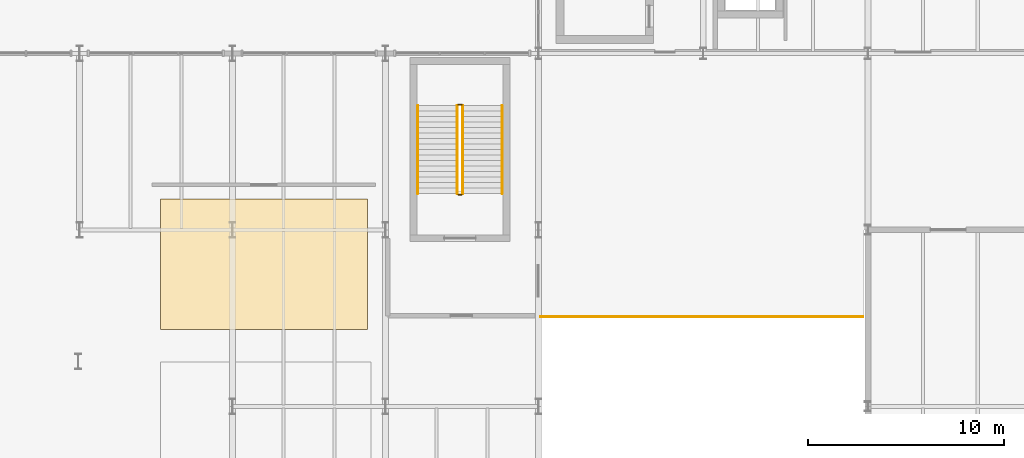
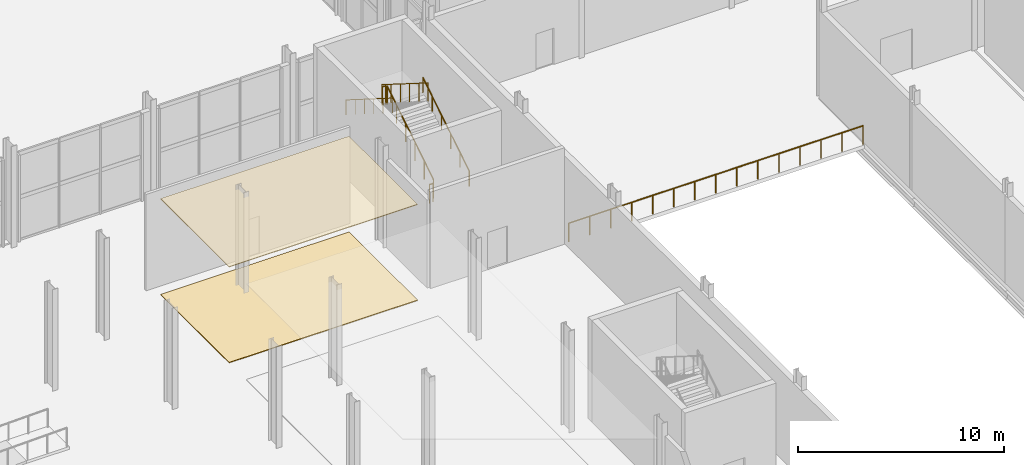
# One storey, part 71 of 84: 7 railings, 2 coverings.
"""IFC4 building model written with IfcOpenShell, lengths in metres."""

from ifc_helpers import new_model, si_unit, direction, frame, origin, origin_2d, place, context, subcontext, project, spatial, polyline, circle, outline, extrude, material, layer, layer_set, type_object, element, save


model = new_model("IFC4")

# Units and contexts
model_context = context("Model", 3, precision=1e-05, world=origin(), true_north=direction((0.0, 1.0)))
body_context = subcontext(model_context, "Body", "Model", "MODEL_VIEW")
ifc_project = project(units=[si_unit("LENGTHUNIT", "METRE"), si_unit("AREAUNIT", "SQUARE_METRE"), si_unit("VOLUMEUNIT", "CUBIC_METRE"), si_unit("PLANEANGLEUNIT", "RADIAN"), si_unit("MASSUNIT", "GRAM", prefix="KILO")], contexts=[model_context])

# Site, building, storey
site_placement = place(None, origin())
site = spatial("IfcSite", under=ifc_project, at=site_placement, CompositionType="ELEMENT")
building_placement = place(site_placement, origin())
building = spatial("IfcBuilding", under=site, at=building_placement, Name="Sefraquen Railside Congress Hotel", CompositionType="ELEMENT")
storey_placement = place(building_placement, origin())
storey = spatial("IfcBuildingStorey", under=building, at=storey_placement, Name="L00", CompositionType="ELEMENT", Elevation=0.0)

# Coverings
ifc_material_1 = material(Name="Acoustic mineral and carved plaster ceiling", Category="gypsum")
ifc_layer_1 = layer(ifc_material_1, 0.0400390625)
ifc_layer_set_1 = layer_set([ifc_layer_1], Name="Acoustic mineral and carved plaster ceiling")
covering_type_1 = type_object("IfcCoveringType", Name="TCV-CEIL-01", PredefinedType="CEILING", material=ifc_layer_set_1)
covering_1_placement = place(storey_placement, frame((0.0, 0.0, 5.659912109375)))
element("IfcCovering", 1, at=covering_1_placement, inside=storey, type_object=covering_type_1, Name="VIP Speaker Suite 01 acoustic ceiling finish", PredefinedType="CEILING", context=body_context, shape_type="SweptSolid", body=[
    extrude(outline(polyline([(83.929931640625, 39.929931640625), (94.469970703125, 39.929931640625), (94.469970703125, 46.570068359375), (83.929931640625, 46.570068359375), (83.929931640625, 39.929931640625)])), origin(), (0.0, 0.0, 1.0), 0.0400390625),
])
ifc_material_2 = material(Name="Moroccan zellige ceramic and honed stone flooring", Category="masonry")
ifc_layer_2 = layer(ifc_material_2, 0.0400390625)
ifc_layer_set_2 = layer_set([ifc_layer_2], Name="Moroccan zellige ceramic and honed stone flooring")
covering_type_2 = type_object("IfcCoveringType", Name="TCV-FLR-01", PredefinedType="FLOORING", material=ifc_layer_set_2)
covering_2_placement = place(storey_placement, origin())
element("IfcCovering", 2, at=covering_2_placement, inside=storey, type_object=covering_type_2, Name="VIP Speaker Suite 01 architectural floor finish", PredefinedType="FLOORING", context=body_context, shape_type="SweptSolid", body=[
    extrude(outline(polyline([(83.929931640625, 39.929931640625), (94.469970703125, 39.929931640625), (94.469970703125, 46.570068359375), (83.929931640625, 46.570068359375), (83.929931640625, 39.929931640625)])), origin(), (0.0, 0.0, 1.0), 0.0400390625),
])

# Railings
ifc_material_3 = material(Name="Patinated wrought architectural bronze", Category="metal")
railing_type_1 = type_object("IfcRailingType", Name="TRL-BAL-110", PredefinedType="BALUSTRADE", material=ifc_material_3)
railing_1_placement = place(storey_placement, frame((119.75, 40.580078125, 0.0)))
element("IfcRailing", 3, at=railing_1_placement, inside=storey, type_object=railing_type_1, Name="South garden court south edge balustrade", PredefinedType="BALUSTRADE", context=body_context, shape_type="SweptSolid", body=[
    extrude(circle(Radius=0.02392578125, at=origin_2d()), frame((0.0, 0.0, 1.09619140625), z_axis=(-1.0, 0.0, 0.0), x_axis=(0.0, -1.0, 0.0)), (0.0, 0.0, 1.0), 16.449951171875),
    extrude(circle(Radius=0.02099609375, at=origin_2d()), origin(), (0.0, 0.0, 1.0), 1.072021484375),
    extrude(circle(Radius=0.02099609375, at=origin_2d()), frame((-1.175048828125, 0.0, 0.0)), (0.0, 0.0, 1.0), 1.072021484375),
    extrude(circle(Radius=0.02099609375, at=origin_2d()), frame((-2.35009765625, 0.0, 0.0)), (0.0, 0.0, 1.0), 1.072021484375),
    extrude(circle(Radius=0.02099609375, at=origin_2d()), frame((-3.52490234375, 0.0, 0.0)), (0.0, 0.0, 1.0), 1.072021484375),
    extrude(circle(Radius=0.02099609375, at=origin_2d()), frame((-4.699951171875, 0.0, 0.0)), (0.0, 0.0, 1.0), 1.072021484375),
    extrude(circle(Radius=0.02099609375, at=origin_2d()), frame((-5.875, 0.0, 0.0)), (0.0, 0.0, 1.0), 1.072021484375),
    extrude(circle(Radius=0.02099609375, at=origin_2d()), frame((-7.050048828125, 0.0, 0.0)), (0.0, 0.0, 1.0), 1.072021484375),
    extrude(circle(Radius=0.02099609375, at=origin_2d()), frame((-8.22509765625, 0.0, 0.0)), (0.0, 0.0, 1.0), 1.072021484375),
    extrude(circle(Radius=0.02099609375, at=origin_2d()), frame((-9.39990234375, 0.0, 0.0)), (0.0, 0.0, 1.0), 1.072021484375),
    extrude(circle(Radius=0.02099609375, at=origin_2d()), frame((-10.574951171875, 0.0, 0.0)), (0.0, 0.0, 1.0), 1.072021484375),
    extrude(circle(Radius=0.02099609375, at=origin_2d()), frame((-11.75, 0.0, 0.0)), (0.0, 0.0, 1.0), 1.072021484375),
    extrude(circle(Radius=0.02099609375, at=origin_2d()), frame((-12.925048828125, 0.0, 0.0)), (0.0, 0.0, 1.0), 1.072021484375),
    extrude(circle(Radius=0.02099609375, at=origin_2d()), frame((-14.099853515625, 0.0, 0.0)), (0.0, 0.0, 1.0), 1.072021484375),
    extrude(circle(Radius=0.02099609375, at=origin_2d()), frame((-15.27490234375, 0.0, 0.0)), (0.0, 0.0, 1.0), 1.072021484375),
    extrude(circle(Radius=0.02099609375, at=origin_2d()), frame((-16.449951171875, 0.0, 0.0)), (0.0, 0.0, 1.0), 1.072021484375),
])
railing_2_placement = place(storey_placement, frame((99.35009765625, 46.85009765625, 0.176513671875)))
element("IfcRailing", 4, at=railing_2_placement, inside=storey, type_object=railing_type_1, Name="L00 ST-C04 stair guard 1", PredefinedType="BALUSTRADE", context=body_context, shape_type="SweptSolid", body=[
    extrude(circle(Radius=0.02392578125, at=origin_2d()), frame((0.0, 0.0, 1.076171875), z_axis=(0.0, 0.845997938375, 0.533186166611), x_axis=(-1.0, 0.0, 0.0)), (0.0, 0.0, 1.0), 5.29541015625),
    extrude(circle(Radius=0.02099609375, at=origin_2d()), origin(), (0.0, 0.0, 1.0), 1.052001953125),
    extrude(circle(Radius=0.02099609375, at=origin_2d()), frame((0.0, 0.89599609375, 0.564697265625)), (0.0, 0.0, 1.0), 1.052001953125),
    extrude(circle(Radius=0.02099609375, at=origin_2d()), frame((0.0, 1.7919921875, 1.12939453125)), (0.0, 0.0, 1.0), 1.052001953125),
    extrude(circle(Radius=0.02099609375, at=origin_2d()), frame((0.0, 2.68798828125, 1.694091796875)), (0.0, 0.0, 1.0), 1.052001953125),
    extrude(circle(Radius=0.02099609375, at=origin_2d()), frame((0.0, 3.583984375, 2.2587890625)), (0.0, 0.0, 1.0), 1.052001953125),
    extrude(circle(Radius=0.02099609375, at=origin_2d()), frame((0.0, 4.47998046875, 2.823486328125)), (0.0, 0.0, 1.0), 1.052001953125),
])
railing_3_placement = place(storey_placement, frame((99.300048828125, 51.3798828125, 3.0)))
element("IfcRailing", 5, at=railing_3_placement, inside=storey, type_object=railing_type_1, Name="L00 ST-C04 stair guard 2", PredefinedType="BALUSTRADE", context=body_context, shape_type="SweptSolid", body=[
    extrude(circle(Radius=0.02392578125, at=origin_2d()), frame((0.0, 0.0, 1.076171875), z_axis=(-1.0, 0.0, 0.0), x_axis=(0.0, -1.0, 0.0)), (0.0, 0.0, 1.0), 0.199951171875),
    extrude(circle(Radius=0.02099609375, at=origin_2d()), origin(), (0.0, 0.0, 1.0), 1.052001953125),
    extrude(circle(Radius=0.02099609375, at=origin_2d()), frame((-0.199951171875, 0.0, 0.0)), (0.0, 0.0, 1.0), 1.052001953125),
])
railing_4_placement = place(storey_placement, frame((99.050048828125, 51.330078125, 3.176513671875)))
element("IfcRailing", 6, at=railing_4_placement, inside=storey, type_object=railing_type_1, Name="L00 ST-C04 stair guard 3", PredefinedType="BALUSTRADE", context=body_context, shape_type="SweptSolid", body=[
    extrude(circle(Radius=0.02392578125, at=origin_2d()), frame((0.0, 0.0, 1.076171875), z_axis=(0.0, -0.845997938375, 0.533186166611), x_axis=(1.0, 0.0, 0.0)), (0.0, 0.0, 1.0), 5.29541015625),
    extrude(circle(Radius=0.02099609375, at=origin_2d()), origin(), (0.0, 0.0, 1.0), 1.052001953125),
    extrude(circle(Radius=0.02099609375, at=origin_2d()), frame((0.0, -0.89599609375, 0.564697265625)), (0.0, 0.0, 1.0), 1.052001953125),
    extrude(circle(Radius=0.02099609375, at=origin_2d()), frame((0.0, -1.7919921875, 1.12939453125)), (0.0, 0.0, 1.0), 1.052001953125),
    extrude(circle(Radius=0.02099609375, at=origin_2d()), frame((0.0, -2.68798828125, 1.694091796875)), (0.0, 0.0, 1.0), 1.052001953125),
    extrude(circle(Radius=0.02099609375, at=origin_2d()), frame((0.0, -3.583984375, 2.2587890625)), (0.0, 0.0, 1.0), 1.052001953125),
    extrude(circle(Radius=0.02099609375, at=origin_2d()), frame((0.0, -4.47998046875, 2.823486328125)), (0.0, 0.0, 1.0), 1.052001953125),
])
railing_5_placement = place(storey_placement, frame((99.300048828125, 46.800048828125, 0.0)))
element("IfcRailing", 7, at=railing_5_placement, inside=storey, type_object=railing_type_1, Name="L00 ST-C04 stair guard 4", PredefinedType="BALUSTRADE", context=body_context, shape_type="SweptSolid", body=[
    extrude(circle(Radius=0.02392578125, at=origin_2d()), frame((0.0, 0.0, 1.076171875), z_axis=(-1.0, 0.0, 0.0), x_axis=(0.0, -1.0, 0.0)), (0.0, 0.0, 1.0), 0.199951171875),
    extrude(circle(Radius=0.02099609375, at=origin_2d()), origin(), (0.0, 0.0, 1.0), 1.052001953125),
    extrude(circle(Radius=0.02099609375, at=origin_2d()), frame((-0.199951171875, 0.0, 0.0)), (0.0, 0.0, 1.0), 1.052001953125),
])
railing_type_2 = type_object("IfcRailingType", Name="TRL-HR-090", PredefinedType="HANDRAIL", material=ifc_material_3)
railing_6_placement = place(storey_placement, frame((101.35009765625, 46.85009765625, 0.176513671875)))
element("IfcRailing", 8, at=railing_6_placement, inside=storey, type_object=railing_type_2, Name="L00 ST-C04 stair handrail 1", PredefinedType="HANDRAIL", context=body_context, shape_type="SweptSolid", body=[
    extrude(circle(Radius=0.02392578125, at=origin_2d()), frame((0.0, 0.0, 0.8759765625), z_axis=(0.0, 0.845997938375, 0.533186166611), x_axis=(-1.0, 0.0, 0.0)), (0.0, 0.0, 1.0), 5.29541015625),
    extrude(circle(Radius=0.02099609375, at=origin_2d()), origin(), (0.0, 0.0, 1.0), 0.851806640625),
    extrude(circle(Radius=0.02099609375, at=origin_2d()), frame((0.0, 0.89599609375, 0.564697265625)), (0.0, 0.0, 1.0), 0.851806640625),
    extrude(circle(Radius=0.02099609375, at=origin_2d()), frame((0.0, 1.7919921875, 1.12939453125)), (0.0, 0.0, 1.0), 0.851806640625),
    extrude(circle(Radius=0.02099609375, at=origin_2d()), frame((0.0, 2.68798828125, 1.694091796875)), (0.0, 0.0, 1.0), 0.851806640625),
    extrude(circle(Radius=0.02099609375, at=origin_2d()), frame((0.0, 3.583984375, 2.2587890625)), (0.0, 0.0, 1.0), 0.851806640625),
    extrude(circle(Radius=0.02099609375, at=origin_2d()), frame((0.0, 4.47998046875, 2.823486328125)), (0.0, 0.0, 1.0), 0.851806640625),
])
railing_7_placement = place(storey_placement, frame((97.050048828125, 51.330078125, 3.176513671875)))
element("IfcRailing", 9, at=railing_7_placement, inside=storey, type_object=railing_type_2, Name="L00 ST-C04 stair handrail 2", PredefinedType="HANDRAIL", context=body_context, shape_type="SweptSolid", body=[
    extrude(circle(Radius=0.02392578125, at=origin_2d()), frame((0.0, 0.0, 0.8759765625), z_axis=(0.0, -0.845997938375, 0.533186166611), x_axis=(1.0, 0.0, 0.0)), (0.0, 0.0, 1.0), 5.29541015625),
    extrude(circle(Radius=0.02099609375, at=origin_2d()), origin(), (0.0, 0.0, 1.0), 0.851806640625),
    extrude(circle(Radius=0.02099609375, at=origin_2d()), frame((0.0, -0.89599609375, 0.564697265625)), (0.0, 0.0, 1.0), 0.851806640625),
    extrude(circle(Radius=0.02099609375, at=origin_2d()), frame((0.0, -1.7919921875, 1.12939453125)), (0.0, 0.0, 1.0), 0.851806640625),
    extrude(circle(Radius=0.02099609375, at=origin_2d()), frame((0.0, -2.68798828125, 1.694091796875)), (0.0, 0.0, 1.0), 0.851806640625),
    extrude(circle(Radius=0.02099609375, at=origin_2d()), frame((0.0, -3.583984375, 2.2587890625)), (0.0, 0.0, 1.0), 0.851806640625),
    extrude(circle(Radius=0.02099609375, at=origin_2d()), frame((0.0, -4.47998046875, 2.823486328125)), (0.0, 0.0, 1.0), 0.851806640625),
])

save(model, "model.ifc")
